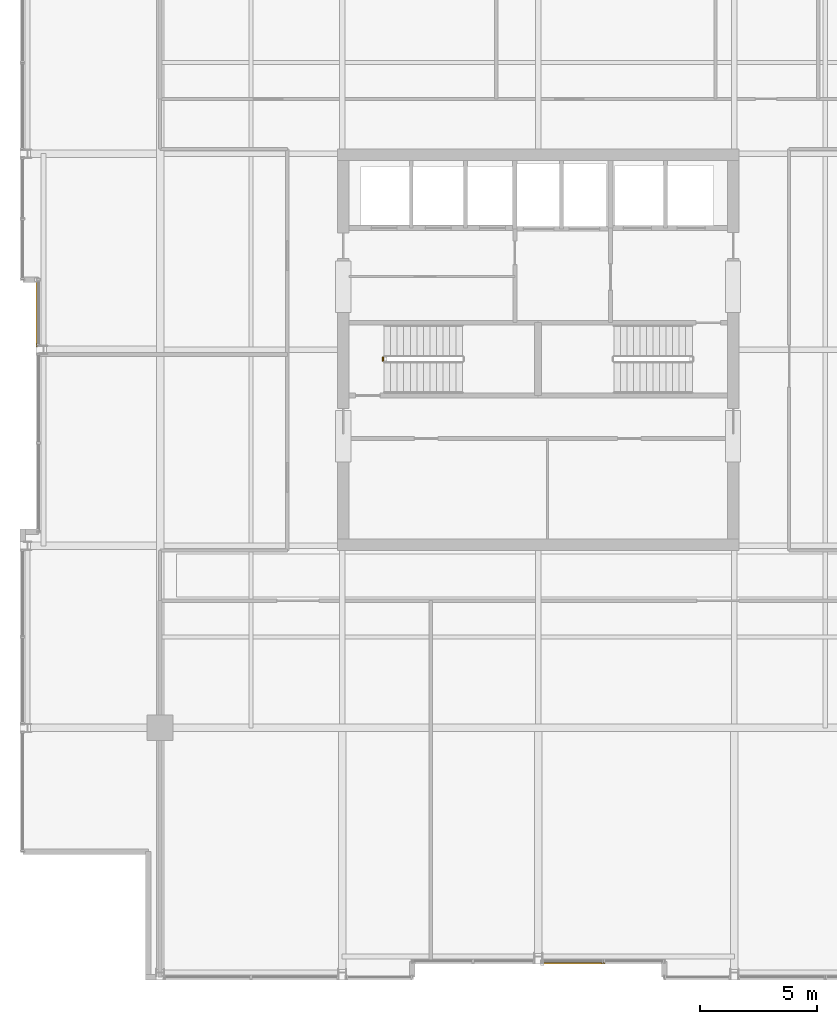
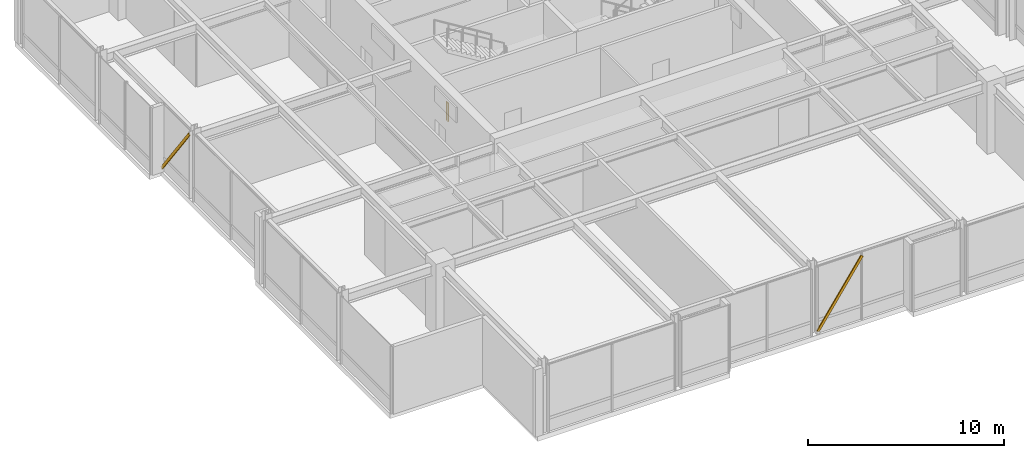
# One storey, part 30 of 32: 2 shading devices, 1 railing.
"""IFC4 building model written with IfcOpenShell, lengths in metres."""

from ifc_helpers import new_model, si_unit, direction, frame, origin, origin_2d, place, context, subcontext, project, spatial, hollow_rectangle, circle, extrude, material, material_profile, profile_set, type_object, element, save


model = new_model("IFC4")

# Units and contexts
model_context = context("Model", 3, precision=1e-05, world=origin(), true_north=direction((0.0, 1.0)))
body_context = subcontext(model_context, "Body", "Model", "MODEL_VIEW")
ifc_project = project(units=[si_unit("LENGTHUNIT", "METRE"), si_unit("AREAUNIT", "SQUARE_METRE"), si_unit("VOLUMEUNIT", "CUBIC_METRE"), si_unit("PLANEANGLEUNIT", "RADIAN"), si_unit("MASSUNIT", "GRAM", prefix="KILO")], contexts=[model_context])

# Site, building, storey
site_placement = place(None, origin())
site = spatial("IfcSite", under=ifc_project, at=site_placement, CompositionType="ELEMENT")
building_placement = place(site_placement, origin())
building = spatial("IfcBuilding", under=site, at=building_placement, Name="Drelvath Grand Hotel", CompositionType="ELEMENT")
storey_placement = place(building_placement, frame((0.0, 0.0, 255.5)))
storey = spatial("IfcBuildingStorey", under=building, at=storey_placement, Name="L67", CompositionType="ELEMENT", Elevation=255.5)

# Railing
ifc_material_1 = material(Name="Painted Steel S275", Category="steel")
railing_type = type_object("IfcRailingType", Name="Core Stair Well Guardrail 1100", PredefinedType="GUARDRAIL", material=ifc_material_1)
railing_placement = place(storey_placement, frame((-6.64990234375, 26.52001953125, 0.0)))
element("IfcRailing", 1, at=railing_placement, inside=storey, type_object=railing_type, Name="L67 ST-1 stair guard 4", PredefinedType="GUARDRAIL", context=body_context, shape_type="SweptSolid", body=[
    extrude(circle(Radius=0.02392578125, at=origin_2d()), frame((0.0, 0.0, 1.1259765625), z_axis=(0.0, 1.0, 0.0), x_axis=(-1.0, 0.0, 0.0)), (0.0, 0.0, 1.0), 0.159912109375),
    extrude(circle(Radius=0.02099609375, at=origin_2d()), origin(), (0.0, 0.0, 1.0), 1.101806640625),
    extrude(circle(Radius=0.02099609375, at=origin_2d()), frame((0.0, 0.159912109375, 0.0)), (0.0, 0.0, 1.0), 1.101806640625),
])

# Shading devices
ifc_material_2 = material(Name="Platinum-Mist Anodised Aluminium", Category="aluminium")
ifc_material_profile = material_profile(ifc_material_2, hollow_rectangle(XDim=0.06494140625, YDim=0.159912109375, WallThickness=0.00390625, at=origin_2d()), Name="HSS160X65X4")
ifc_profile_set = profile_set([ifc_material_profile], Name="Platinum-Mist Anodised Aluminium")
shading_device_type = type_object("IfcShadingDeviceType", Name="Diagonal Solar Fin Platinum Anodised HSS160X65X4", PredefinedType="USERDEFINED", material=ifc_profile_set)
shading_device_1_placement = place(storey_placement, frame((-21.47998046875, 30.0, 0.179931640625), z_axis=(0.0, -0.594152542983, 0.80435238277), x_axis=(1.0, 0.0, 0.0)))
element("IfcShadingDevice", 2, at=shading_device_1_placement, inside=storey, type_object=shading_device_type, Name="L67 Diagonal Anodised Fin CW05-L67-WM2", ObjectType="FIN", PredefinedType="USERDEFINED", context=body_context, shape_type="SweptSolid", body=[
    extrude(hollow_rectangle(XDim=0.06494140625, YDim=0.159912109375, WallThickness=0.00390625, at=origin_2d()), origin(), (0.0, 0.0, 1.0), 4.749267578125),
])
shading_device_2_placement = place(storey_placement, frame((0.17822265625, 0.719970703125, 0.179931640625), z_axis=(0.564258244073, 0.0, 0.825598349075), x_axis=(0.0, 1.0, 0.0)))
element("IfcShadingDevice", 3, at=shading_device_2_placement, inside=storey, type_object=shading_device_type, Name="L67 Diagonal Anodised Fin CW05-L67-SM2", ObjectType="FIN", PredefinedType="USERDEFINED", context=body_context, shape_type="SweptSolid", body=[
    extrude(hollow_rectangle(XDim=0.06494140625, YDim=0.159912109375, WallThickness=0.00390625, at=origin_2d()), origin(), (0.0, 0.0, 1.0), 4.626953125),
])

save(model, "model.ifc")
